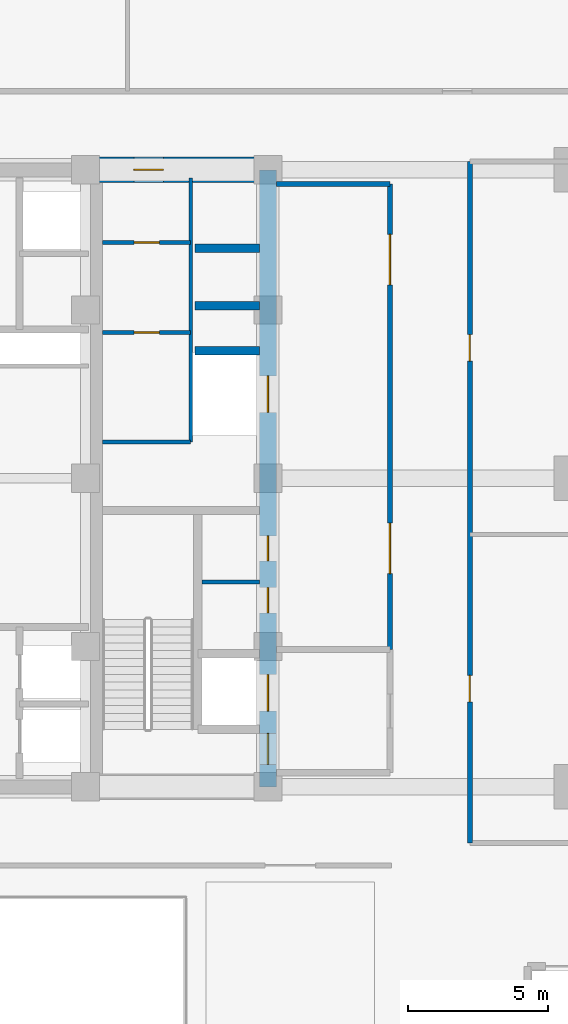
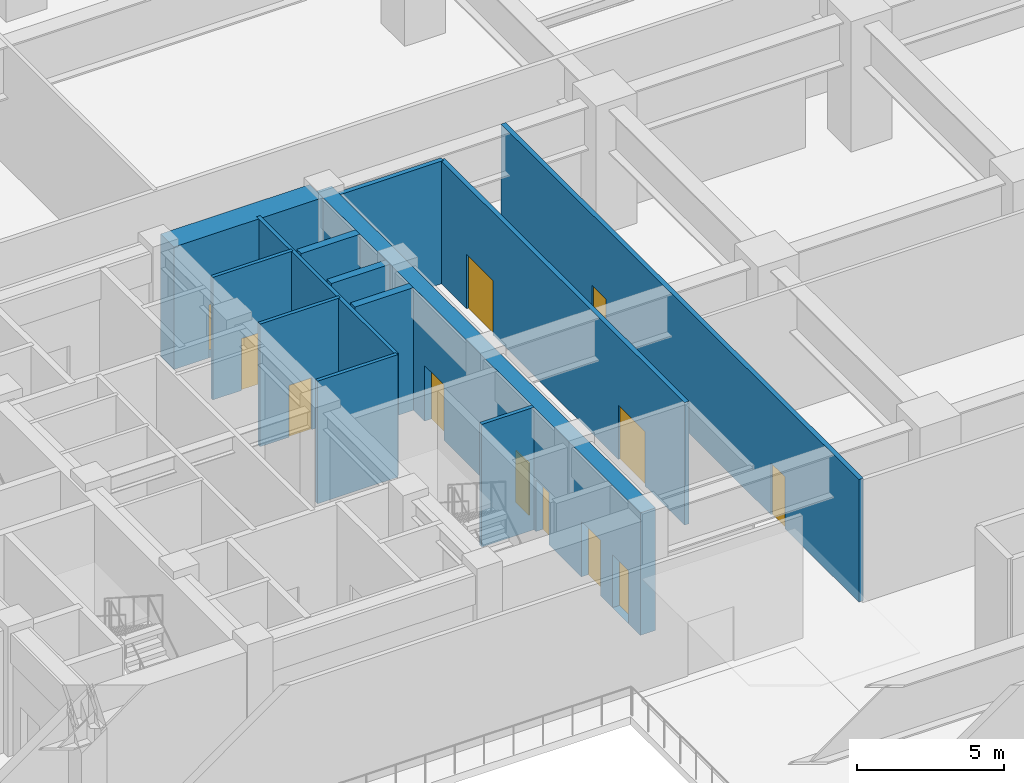
# One storey, part 18 of 28: 13 walls, 12 doors, 12 openings.
"""IFC4 building model written with IfcOpenShell, lengths in metres."""

from ifc_helpers import new_model, si_unit, direction, frame, frame_2d, origin, place, context, subcontext, project, spatial, rectangle, extrude, source, transform, mapped, material, layer, layer_set, type_object, element, fill, save


model = new_model("IFC4")

# Units and contexts
model_context = context("Model", 3, precision=1e-05, world=origin(), true_north=direction((0.0, 1.0)))
body_context = subcontext(model_context, "Body", "Model", "MODEL_VIEW")
ifc_project = project(units=[si_unit("LENGTHUNIT", "METRE"), si_unit("AREAUNIT", "SQUARE_METRE"), si_unit("VOLUMEUNIT", "CUBIC_METRE"), si_unit("PLANEANGLEUNIT", "RADIAN"), si_unit("MASSUNIT", "GRAM", prefix="KILO")], contexts=[model_context])

# Site, building, storey
site_placement = place(None, origin())
site = spatial("IfcSite", under=ifc_project, at=site_placement, CompositionType="ELEMENT")
building_placement = place(site_placement, origin())
building = spatial("IfcBuilding", under=site, at=building_placement, Name="Khorayat Bourse Tower", CompositionType="ELEMENT")
storey_placement = place(building_placement, frame((0.0, 0.0, 12.0)))
storey = spatial("IfcBuildingStorey", under=building, at=storey_placement, Name="L02", CompositionType="ELEMENT", Elevation=12.0)

# Wall, openings, doors
ifc_material_1 = material(Name="Concrete C60/75", Category="concrete")
ifc_layer_1 = layer(ifc_material_1, 0.60009765625)
ifc_layer_set_1 = layer_set([ifc_layer_1], Name="Concrete C60/75")
wall_type_1 = type_object("IfcWallType", Name="WAL-CORE-600", PredefinedType="SHEAR", material=ifc_layer_set_1)
shared_shape_1 = source(origin(), body_context, "Body", "SweptSolid", [
    extrude(rectangle(XDim=22.0, YDim=0.60009765625, at=frame_2d((11.0, 0.0))), origin(), (0.0, 0.0, 1.0), 5.080078125),
])
wall_1_placement = place(storey_placement, frame((11.0, -11.0, 0.0), z_axis=(0.0, 0.0, 1.0), x_axis=(0.0, 1.0, 0.0)))
wall_1 = element("IfcWall", 1, at=wall_1_placement, inside=storey, type_object=wall_type_1, Name="L02 Core Shear Wall CORE-E", PredefinedType="SHEAR", context=body_context, shape_type="MappedRepresentation", body=[
    mapped(shared_shape_1, transform((0.0, 0.0, 0.0), scale=1.0)),
])
shared_shape_2 = source(origin(), body_context, "Body", "SweptSolid", [
    extrude(rectangle(XDim=1.10009765625, YDim=2.199951171875, at=frame_2d((0.550048828125, 1.10009765625))), frame((0.0, 0.31005859375, 0.0), z_axis=(0.0, -1.0, 0.0), x_axis=(1.0, 0.0, 0.0)), (0.0, 0.0, 1.0), 0.6201171875),
])
opening_1_placement = place(wall_1_placement, frame((0.800048828125, 0.0, 0.0)))
opening_1 = element("IfcOpeningElement", 2, at=opening_1_placement, cuts=wall_1, Name="Opening DI-01", PredefinedType="OPENING", context=body_context, shape_type="MappedRepresentation", body=[
    mapped(shared_shape_2, transform((0.0, 0.0, 0.0), scale=1.0)),
])
shared_shape_3 = source(origin(), body_context, "Body", "SweptSolid", [
    extrude(rectangle(XDim=0.89990234375, YDim=2.14990234375, at=frame_2d((0.449951171875, 1.074951171875))), frame((0.0, 0.31005859375, 0.0), z_axis=(0.0, -1.0, 0.0), x_axis=(1.0, 0.0, 0.0)), (0.0, 0.0, 1.0), 0.6201171875),
])
opening_2_placement = place(wall_1_placement, frame((6.199951171875, 0.0, 0.0)))
opening_2 = element("IfcOpeningElement", 3, at=opening_2_placement, cuts=wall_1, Name="Opening DI-06", PredefinedType="OPENING", context=body_context, shape_type="MappedRepresentation", body=[
    mapped(shared_shape_3, transform((0.0, 0.0, 0.0), scale=1.0)),
])
opening_3_placement = place(wall_1_placement, frame((8.050048828125, 0.0, 0.0)))
opening_3 = element("IfcOpeningElement", 4, at=opening_3_placement, cuts=wall_1, Name="Opening DI-06", PredefinedType="OPENING", context=body_context, shape_type="MappedRepresentation", body=[
    mapped(shared_shape_3, transform((0.0, 0.0, 0.0), scale=1.0)),
])
shared_shape_4 = source(origin(), body_context, "Body", "SweptSolid", [
    extrude(rectangle(XDim=1.300048828125, YDim=2.300048828125, at=frame_2d((0.64990234375, 1.14990234375))), frame((0.0, 0.31005859375, 0.0), z_axis=(0.0, -1.0, 0.0), x_axis=(1.0, 0.0, 0.0)), (0.0, 0.0, 1.0), 0.6201171875),
])
opening_4_placement = place(wall_1_placement, frame((2.699951171875, 0.0, 0.0)))
opening_4 = element("IfcOpeningElement", 5, at=opening_4_placement, cuts=wall_1, Name="Opening LD-02", PredefinedType="OPENING", context=body_context, shape_type="MappedRepresentation", body=[
    mapped(shared_shape_4, transform((0.0, 0.0, 0.0), scale=1.0)),
])
opening_5_placement = place(wall_1_placement, frame((13.35009765625, 0.0, 0.0)))
opening_5 = element("IfcOpeningElement", 6, at=opening_5_placement, cuts=wall_1, Name="Opening LD-02", PredefinedType="OPENING", context=body_context, shape_type="MappedRepresentation", body=[
    mapped(shared_shape_4, transform((0.0, 0.0, 0.0), scale=1.0)),
])
ifc_material_2 = material(Name="Fire-rated steel acoustic leaf", Category="steel")
door_type_1 = type_object("IfcDoorType", Name="DR-INT-STAIR-1100", OperationType="NOTDEFINED", PredefinedType="DOOR", material=ifc_material_2)
shared_shape_5 = source(origin(), body_context, "Body", "SweptSolid", [
    extrude(rectangle(XDim=1.10009765625, YDim=2.199951171875, at=frame_2d((0.550048828125, 1.10009765625))), frame((0.0, 0.02490234375, 0.0), z_axis=(0.0, -1.0, 0.0), x_axis=(1.0, 0.0, 0.0)), (0.0, 0.0, 1.0), 0.050048828125),
])
door_1_placement = place(opening_1_placement, origin())
door_1 = element("IfcDoor", 7, at=door_1_placement, inside=storey, type_object=door_type_1, Name="L02 Exit Stair 3 Door", OperationType="SINGLE_SWING_LEFT", OverallHeight=2.199951171875, OverallWidth=1.10009765625, PredefinedType="DOOR", context=body_context, shape_type="MappedRepresentation", body=[
    mapped(shared_shape_5, transform((0.0, 0.0, 0.0), scale=1.0)),
])
fill(opening_1, door_1)
ifc_material_3 = material(Name="Moisture-resistant laminate washroom door")
door_type_2 = type_object("IfcDoorType", Name="DR-INT-WC-900", OperationType="NOTDEFINED", PredefinedType="DOOR", material=ifc_material_3)
shared_shape_6 = source(origin(), body_context, "Body", "SweptSolid", [
    extrude(rectangle(XDim=0.89990234375, YDim=2.14990234375, at=frame_2d((0.449951171875, 1.074951171875))), frame((0.0, 0.02490234375, 0.0), z_axis=(0.0, -1.0, 0.0), x_axis=(1.0, 0.0, 0.0)), (0.0, 0.0, 1.0), 0.050048828125),
])
door_2_placement = place(opening_2_placement, origin())
door_2 = element("IfcDoor", 8, at=door_2_placement, inside=storey, type_object=door_type_2, Name="L02 Comms Closet Door", OperationType="SINGLE_SWING_LEFT", OverallHeight=2.14990234375, OverallWidth=0.89990234375, PredefinedType="DOOR", context=body_context, shape_type="MappedRepresentation", body=[
    mapped(shared_shape_6, transform((0.0, 0.0, 0.0), scale=1.0)),
])
fill(opening_2, door_2)
door_3_placement = place(opening_3_placement, origin())
door_3 = element("IfcDoor", 9, at=door_3_placement, inside=storey, type_object=door_type_2, Name="L02 Cleaner Store Door", OperationType="SINGLE_SWING_RIGHT", OverallHeight=2.14990234375, OverallWidth=0.89990234375, PredefinedType="DOOR", context=body_context, shape_type="MappedRepresentation", body=[
    mapped(shared_shape_6, transform((0.0, 0.0, 0.0), scale=1.0)),
])
fill(opening_3, door_3)
ifc_material_4 = material(Name="Fire-rated stainless-steel sliding landing door", Category="steel")
door_type_3 = type_object("IfcDoorType", Name="DR-LIFT-FF-1300", OperationType="NOTDEFINED", PredefinedType="DOOR", material=ifc_material_4)
shared_shape_7 = source(origin(), body_context, "Body", "SweptSolid", [
    extrude(rectangle(XDim=1.300048828125, YDim=2.300048828125, at=frame_2d((0.64990234375, 1.14990234375))), frame((0.0, 0.02490234375, 0.0), z_axis=(0.0, -1.0, 0.0), x_axis=(1.0, 0.0, 0.0)), (0.0, 0.0, 1.0), 0.050048828125),
])
door_4_placement = place(opening_4_placement, origin())
door_4 = element("IfcDoor", 10, at=door_4_placement, inside=storey, type_object=door_type_3, Name="L02 Lift FFL-02 Sliding Landing Door", OperationType="SLIDING_TO_LEFT", OverallHeight=2.300048828125, OverallWidth=1.300048828125, PredefinedType="DOOR", context=body_context, shape_type="MappedRepresentation", body=[
    mapped(shared_shape_7, transform((0.0, 0.0, 0.0), scale=1.0)),
])
fill(opening_4, door_4)
door_5_placement = place(opening_5_placement, origin())
door_5 = element("IfcDoor", 11, at=door_5_placement, inside=storey, type_object=door_type_3, Name="L02 Lift SVL-01 Sliding Landing Door", OperationType="SLIDING_TO_LEFT", OverallHeight=2.300048828125, OverallWidth=1.300048828125, PredefinedType="DOOR", context=body_context, shape_type="MappedRepresentation", body=[
    mapped(shared_shape_7, transform((0.0, 0.0, 0.0), scale=1.0)),
])
fill(opening_5, door_5)

# Wall, opening, door
ifc_material_5 = material(Name="Concrete C72/90", Category="concrete")
ifc_layer_2 = layer(ifc_material_5, 0.89990234375)
ifc_layer_set_2 = layer_set([ifc_layer_2], Name="Concrete C72/90")
wall_type_2 = type_object("IfcWallType", Name="WAL-CORE-900", PredefinedType="SHEAR", material=ifc_layer_set_2)
shared_shape_8 = source(origin(), body_context, "Body", "SweptSolid", [
    extrude(rectangle(XDim=5.849853515625, YDim=0.89990234375, at=frame_2d((2.9248046875, 0.0))), origin(), (0.0, 0.0, 1.0), 5.080078125),
])
wall_2_placement = place(storey_placement, frame((4.85009765625, 11.0, 0.0), z_axis=(0.0, 0.0, 1.0), x_axis=(1.0, 0.0, 0.0)))
wall_2 = element("IfcWall", 12, at=wall_2_placement, inside=storey, type_object=wall_type_2, Name="L02 Core Shear Wall PIER-EN", PredefinedType="SHEAR", context=body_context, shape_type="MappedRepresentation", body=[
    mapped(shared_shape_8, transform((0.0, 0.0, 0.0), scale=1.0)),
])
shared_shape_9 = source(origin(), body_context, "Body", "SweptSolid", [
    extrude(rectangle(XDim=1.050048828125, YDim=2.199951171875, at=frame_2d((0.52490234375, 1.10009765625))), frame((0.0, 0.4599609375, 0.0), z_axis=(0.0, -1.0, 0.0), x_axis=(1.0, 0.0, 0.0)), (0.0, 0.0, 1.0), 0.919921875),
])
opening_6_placement = place(wall_2_placement, frame((1.375, 0.0, 0.0)))
opening_6 = element("IfcOpeningElement", 13, at=opening_6_placement, cuts=wall_2, Name="Opening DI-04", PredefinedType="OPENING", context=body_context, shape_type="MappedRepresentation", body=[
    mapped(shared_shape_9, transform((0.0, 0.0, 0.0), scale=1.0)),
])
ifc_material_6 = material(Name="Fire-rated oak veneer suite entrance door")
door_type_4 = type_object("IfcDoorType", Name="DR-INT-SUITE-1050", OperationType="NOTDEFINED", PredefinedType="DOOR", material=ifc_material_6)
shared_shape_10 = source(origin(), body_context, "Body", "SweptSolid", [
    extrude(rectangle(XDim=1.050048828125, YDim=2.199951171875, at=frame_2d((0.52490234375, 1.10009765625))), frame((0.0, 0.02490234375, 0.0), z_axis=(0.0, -1.0, 0.0), x_axis=(1.0, 0.0, 0.0)), (0.0, 0.0, 1.0), 0.050048828125),
])
door_6_placement = place(opening_6_placement, origin())
door_6 = element("IfcDoor", 14, at=door_6_placement, inside=storey, type_object=door_type_4, Name="L02 Core Washroom Lobby Door", OperationType="SINGLE_SWING_LEFT", OverallHeight=2.199951171875, OverallWidth=1.050048828125, PredefinedType="DOOR", context=body_context, shape_type="MappedRepresentation", body=[
    mapped(shared_shape_10, transform((0.0, 0.0, 0.0), scale=1.0)),
])
fill(opening_6, door_6)

# Walls
ifc_material_7 = material(Name="Concrete C50/60", Category="concrete")
ifc_layer_3 = layer(ifc_material_7, 0.300048828125)
ifc_layer_set_3 = layer_set([ifc_layer_3], Name="Concrete C50/60")
wall_type_3 = type_object("IfcWallType", Name="WAL-SHAFT-300", PredefinedType="SHEAR", material=ifc_layer_set_3)
shared_shape_11 = source(origin(), body_context, "Body", "SweptSolid", [
    extrude(rectangle(XDim=2.300048828125, YDim=0.300048828125, at=frame_2d((1.14990234375, 0.0))), origin(), (0.0, 0.0, 1.0), 5.080078125),
])
for number, where, z_axis, x_axis, name in (
    (15, (8.39990234375, 4.550048828125, 0.0), (0.0, 0.0, 1.0), (1.0, 0.0, 0.0), "L02 Partition WAL-L02-EPIER-SVLN"),
    (16, (8.39990234375, 6.14990234375, 0.0), (0.0, 0.0, 1.0), (1.0, 0.0, 0.0), "L02 Partition WAL-L02-EPIER-H3S"),
    (17, (8.39990234375, 8.199951171875, 0.0), (0.0, 0.0, 1.0), (1.0, 0.0, 0.0), "L02 Partition WAL-L02-EPIER-H34"),
):
    element("IfcWall", number, at=place(storey_placement, frame(where, z_axis=z_axis, x_axis=x_axis)), inside=storey, type_object=wall_type_3, Name=name, PredefinedType="SHEAR", context=body_context, shape_type="MappedRepresentation", body=[
        mapped(shared_shape_11, transform((0.0, 0.0, 0.0), scale=1.0)),
    ])
ifc_material_8 = material(Name="Gypsum plasterboard twin-frame partition")
ifc_layer_4 = layer(ifc_material_8, 0.14990234375)
ifc_layer_set_4 = layer_set([ifc_layer_4], Name="Gypsum plasterboard twin-frame partition")
wall_type_4 = type_object("IfcWallType", Name="WAL-PART-SUITE-150", PredefinedType="PARTITIONING", material=ifc_layer_set_4)
shared_shape_12 = source(origin(), body_context, "Body", "SweptSolid", [
    extrude(rectangle(XDim=2.050048828125, YDim=0.14990234375, at=frame_2d((1.02490234375, 0.0))), origin(), (0.0, 0.0, 1.0), 5.080078125),
])
wall_3_placement = place(storey_placement, frame((8.64990234375, -3.699951171875, 0.0), z_axis=(0.0, 0.0, 1.0), x_axis=(1.0, 0.0, 0.0)))
element("IfcWall", 18, at=wall_3_placement, inside=storey, type_object=wall_type_4, Name="L02 Partition WAL-L02-ESRV-D1", PredefinedType="PARTITIONING", context=body_context, shape_type="MappedRepresentation", body=[
    mapped(shared_shape_12, transform((0.0, 0.0, 0.0), scale=1.0)),
])
ifc_material_9 = material(Name="Moisture-resistant masonry partition", Category="masonry")
ifc_layer_5 = layer(ifc_material_9, 0.139892578125)
ifc_layer_set_5 = layer_set([ifc_layer_5], Name="Moisture-resistant masonry partition")
wall_type_5 = type_object("IfcWallType", Name="WAL-PART-WET-140", PredefinedType="PARTITIONING", material=ifc_layer_set_5)
shared_shape_13 = source(origin(), body_context, "Body", "SweptSolid", [
    extrude(rectangle(XDim=9.39990234375, YDim=0.139892578125, at=frame_2d((4.699951171875, 0.0))), origin(), (0.0, 0.0, 1.0), 5.080078125),
])
wall_4_placement = place(storey_placement, frame((8.25, 1.300048828125, 0.0), z_axis=(0.0, 0.0, 1.0), x_axis=(0.0, 1.0, 0.0)))
element("IfcWall", 19, at=wall_4_placement, inside=storey, type_object=wall_type_5, Name="L02 Partition WAL-L02-ECORE-E", PredefinedType="PARTITIONING", context=body_context, shape_type="MappedRepresentation", body=[
    mapped(shared_shape_13, transform((0.0, 0.0, 0.0), scale=1.0)),
])
shared_shape_14 = source(origin(), body_context, "Body", "SweptSolid", [
    extrude(rectangle(XDim=3.14990234375, YDim=0.139892578125, at=frame_2d((1.574951171875, 0.0))), origin(), (0.0, 0.0, 1.0), 5.080078125),
])
wall_5_placement = place(storey_placement, frame((5.10009765625, 1.300048828125, 0.0), z_axis=(0.0, 0.0, 1.0), x_axis=(1.0, 0.0, 0.0)))
element("IfcWall", 20, at=wall_5_placement, inside=storey, type_object=wall_type_5, Name="L02 Partition WAL-L02-ECORE-S", PredefinedType="PARTITIONING", context=body_context, shape_type="MappedRepresentation", body=[
    mapped(shared_shape_14, transform((0.0, 0.0, 0.0), scale=1.0)),
])

# Wall, opening, door
wall_6_placement = place(storey_placement, frame((5.10009765625, 8.39990234375, 0.0), z_axis=(0.0, 0.0, 1.0), x_axis=(1.0, 0.0, 0.0)))
wall_6 = element("IfcWall", 21, at=wall_6_placement, inside=storey, type_object=wall_type_5, Name="L02 Partition WAL-L02-ECW-TOP", PredefinedType="PARTITIONING", context=body_context, shape_type="MappedRepresentation", body=[
    mapped(shared_shape_14, transform((0.0, 0.0, 0.0), scale=1.0)),
])
shared_shape_15 = source(origin(), body_context, "Body", "SweptSolid", [
    extrude(rectangle(XDim=0.89990234375, YDim=2.14990234375, at=frame_2d((0.449951171875, 1.074951171875))), frame((0.0, 0.079833984375, 0.0), z_axis=(0.0, -1.0, 0.0), x_axis=(1.0, 0.0, 0.0)), (0.0, 0.0, 1.0), 0.159912109375),
])
opening_7_placement = place(wall_6_placement, frame((1.1298828125, 0.0, 0.0)))
opening_7 = element("IfcOpeningElement", 22, at=opening_7_placement, cuts=wall_6, Name="Opening DI-06", PredefinedType="OPENING", context=body_context, shape_type="MappedRepresentation", body=[
    mapped(shared_shape_15, transform((0.0, 0.0, 0.0), scale=1.0)),
])
door_7_placement = place(opening_7_placement, origin())
door_7 = element("IfcDoor", 23, at=door_7_placement, inside=storey, type_object=door_type_2, Name="L02 Accessible WC Door", OperationType="SINGLE_SWING_LEFT", OverallHeight=2.14990234375, OverallWidth=0.89990234375, PredefinedType="DOOR", context=body_context, shape_type="MappedRepresentation", body=[
    mapped(shared_shape_6, transform((0.0, 0.0, 0.0), scale=1.0)),
])
fill(opening_7, door_7)

wall_7_placement = place(storey_placement, frame((5.10009765625, 5.199951171875, 0.0), z_axis=(0.0, 0.0, 1.0), x_axis=(1.0, 0.0, 0.0)))
wall_7 = element("IfcWall", 24, at=wall_7_placement, inside=storey, type_object=wall_type_5, Name="L02 Partition WAL-L02-ECW-HZ", PredefinedType="PARTITIONING", context=body_context, shape_type="MappedRepresentation", body=[
    mapped(shared_shape_14, transform((0.0, 0.0, 0.0), scale=1.0)),
])
opening_8_placement = place(wall_7_placement, frame((1.1298828125, 0.0, 0.0)))
opening_8 = element("IfcOpeningElement", 25, at=opening_8_placement, cuts=wall_7, Name="Opening DI-06", PredefinedType="OPENING", context=body_context, shape_type="MappedRepresentation", body=[
    mapped(shared_shape_15, transform((0.0, 0.0, 0.0), scale=1.0)),
])
door_8_placement = place(opening_8_placement, origin())
door_8 = element("IfcDoor", 26, at=door_8_placement, inside=storey, type_object=door_type_2, Name="L02 Shared Washroom Door", OperationType="SINGLE_SWING_RIGHT", OverallHeight=2.14990234375, OverallWidth=0.89990234375, PredefinedType="DOOR", context=body_context, shape_type="MappedRepresentation", body=[
    mapped(shared_shape_6, transform((0.0, 0.0, 0.0), scale=1.0)),
])
fill(opening_8, door_8)

# Wall
ifc_material_10 = material(Name="Gypsum plasterboard acoustic stud wall")
ifc_layer_6 = layer(ifc_material_10, 0.179931640625)
ifc_layer_set_6 = layer_set([ifc_layer_6], Name="Gypsum plasterboard acoustic stud wall")
wall_type_6 = type_object("IfcWallType", Name="WAL-PART-CORR-180", PredefinedType="PARTITIONING", material=ifc_layer_set_6)
shared_shape_16 = source(origin(), body_context, "Body", "SweptSolid", [
    extrude(rectangle(XDim=4.050048828125, YDim=0.179931640625, at=frame_2d((2.02490234375, 0.0))), origin(), (0.0, 0.0, 1.0), 5.080078125),
])
wall_8_placement = place(storey_placement, frame((11.300048828125, 10.5, 0.0), z_axis=(0.0, 0.0, 1.0), x_axis=(1.0, 0.0, 0.0)))
element("IfcWall", 27, at=wall_8_placement, inside=storey, type_object=wall_type_6, Name="L02 Partition WAL-L02-ELOB-N", PredefinedType="PARTITIONING", context=body_context, shape_type="MappedRepresentation", body=[
    mapped(shared_shape_16, transform((0.0, 0.0, 0.0), scale=1.0)),
])

# Wall, openings, doors
shared_shape_17 = source(origin(), body_context, "Body", "SweptSolid", [
    extrude(rectangle(XDim=16.60009765625, YDim=0.179931640625, at=frame_2d((8.300048828125, 0.0))), origin(), (0.0, 0.0, 1.0), 5.080078125),
])
wall_9_placement = place(storey_placement, frame((15.35009765625, -6.10009765625, 0.0), z_axis=(0.0, 0.0, 1.0), x_axis=(0.0, 1.0, 0.0)))
wall_9 = element("IfcWall", 28, at=wall_9_placement, inside=storey, type_object=wall_type_6, Name="L02 Partition WAL-L02-ELOB-E", PredefinedType="PARTITIONING", context=body_context, shape_type="MappedRepresentation", body=[
    mapped(shared_shape_17, transform((0.0, 0.0, 0.0), scale=1.0)),
])
shared_shape_18 = source(origin(), body_context, "Body", "SweptSolid", [
    extrude(rectangle(XDim=1.800048828125, YDim=2.25, at=frame_2d((0.89990234375, 1.125))), frame((0.0, 0.099853515625, 0.0), z_axis=(0.0, -1.0, 0.0), x_axis=(1.0, 0.0, 0.0)), (0.0, 0.0, 1.0), 0.199951171875),
])
opening_9_placement = place(wall_9_placement, frame((2.699951171875, 0.0, 0.0)))
opening_9 = element("IfcOpeningElement", 29, at=opening_9_placement, cuts=wall_9, Name="Opening DI-03", PredefinedType="OPENING", context=body_context, shape_type="MappedRepresentation", body=[
    mapped(shared_shape_18, transform((0.0, 0.0, 0.0), scale=1.0)),
])
opening_10_placement = place(wall_9_placement, frame((13.0, 0.0, 0.0)))
opening_10 = element("IfcOpeningElement", 30, at=opening_10_placement, cuts=wall_9, Name="Opening DI-03", PredefinedType="OPENING", context=body_context, shape_type="MappedRepresentation", body=[
    mapped(shared_shape_18, transform((0.0, 0.0, 0.0), scale=1.0)),
])
ifc_material_11 = material(Name="Fire-rated hardwood vision-panel double leaf", Category="wood")
door_type_5 = type_object("IfcDoorType", Name="DR-INT-CORR-1800", OperationType="NOTDEFINED", PredefinedType="DOOR", material=ifc_material_11)
shared_shape_19 = source(origin(), body_context, "Body", "SweptSolid", [
    extrude(rectangle(XDim=1.800048828125, YDim=2.25, at=frame_2d((0.89990234375, 1.125))), frame((0.0, 0.02490234375, 0.0), z_axis=(0.0, -1.0, 0.0), x_axis=(1.0, 0.0, 0.0)), (0.0, 0.0, 1.0), 0.050048828125),
])
door_9_placement = place(opening_9_placement, origin())
door_9 = element("IfcDoor", 31, at=door_9_placement, inside=storey, type_object=door_type_5, Name="L02 East Core Lobby South Door", OperationType="SINGLE_SWING_RIGHT", OverallHeight=2.25, OverallWidth=1.800048828125, PredefinedType="DOOR", context=body_context, shape_type="MappedRepresentation", body=[
    mapped(shared_shape_19, transform((0.0, 0.0, 0.0), scale=1.0)),
])
fill(opening_9, door_9)
door_10_placement = place(opening_10_placement, origin())
door_10 = element("IfcDoor", 32, at=door_10_placement, inside=storey, type_object=door_type_5, Name="L02 East Core Lobby North Door", OperationType="SINGLE_SWING_LEFT", OverallHeight=2.25, OverallWidth=1.800048828125, PredefinedType="DOOR", context=body_context, shape_type="MappedRepresentation", body=[
    mapped(shared_shape_19, transform((0.0, 0.0, 0.0), scale=1.0)),
])
fill(opening_10, door_10)

shared_shape_20 = source(origin(), body_context, "Body", "SweptSolid", [
    extrude(rectangle(XDim=24.300048828125, YDim=0.179931640625, at=frame_2d((12.14990234375, 0.0))), origin(), (0.0, 0.0, 1.0), 5.080078125),
])
wall_10_placement = place(storey_placement, frame((18.199951171875, -13.0, 0.0), z_axis=(0.0, 0.0, 1.0), x_axis=(0.0, 1.0, 0.0)))
wall_10 = element("IfcWall", 33, at=wall_10_placement, inside=storey, type_object=wall_type_6, Name="L02 Partition WAL-L02-PCORRE-E", PredefinedType="PARTITIONING", context=body_context, shape_type="MappedRepresentation", body=[
    mapped(shared_shape_20, transform((0.0, 0.0, 0.0), scale=1.0)),
])
shared_shape_21 = source(origin(), body_context, "Body", "SweptSolid", [
    extrude(rectangle(XDim=0.949951171875, YDim=2.14990234375, at=frame_2d((0.47509765625, 1.074951171875))), frame((0.0, 0.099853515625, 0.0), z_axis=(0.0, -1.0, 0.0), x_axis=(1.0, 0.0, 0.0)), (0.0, 0.0, 1.0), 0.199951171875),
])
opening_11_placement = place(wall_10_placement, frame((5.02490234375, 0.0, 0.0)))
opening_11 = element("IfcOpeningElement", 34, at=opening_11_placement, cuts=wall_10, Name="Opening DI-05", PredefinedType="OPENING", context=body_context, shape_type="MappedRepresentation", body=[
    mapped(shared_shape_21, transform((0.0, 0.0, 0.0), scale=1.0)),
])
opening_12_placement = place(wall_10_placement, frame((17.175048828125, 0.0, 0.0)))
opening_12 = element("IfcOpeningElement", 35, at=opening_12_placement, cuts=wall_10, Name="Opening DI-05", PredefinedType="OPENING", context=body_context, shape_type="MappedRepresentation", body=[
    mapped(shared_shape_21, transform((0.0, 0.0, 0.0), scale=1.0)),
])
ifc_material_12 = material(Name="Acoustic oak veneer office door")
door_type_6 = type_object("IfcDoorType", Name="DR-INT-OFFICE-950", OperationType="NOTDEFINED", PredefinedType="DOOR", material=ifc_material_12)
shared_shape_22 = source(origin(), body_context, "Body", "SweptSolid", [
    extrude(rectangle(XDim=0.949951171875, YDim=2.14990234375, at=frame_2d((0.47509765625, 1.074951171875))), frame((0.0, 0.02490234375, 0.0), z_axis=(0.0, -1.0, 0.0), x_axis=(1.0, 0.0, 0.0)), (0.0, 0.0, 1.0), 0.050048828125),
])
door_11_placement = place(opening_11_placement, origin())
door_11 = element("IfcDoor", 36, at=door_11_placement, inside=storey, type_object=door_type_6, Name="L02 Derivatives Committee Boardroom Door", OperationType="SINGLE_SWING_LEFT", OverallHeight=2.14990234375, OverallWidth=0.949951171875, PredefinedType="DOOR", context=body_context, shape_type="MappedRepresentation", body=[
    mapped(shared_shape_22, transform((0.0, 0.0, 0.0), scale=1.0)),
])
fill(opening_11, door_11)
door_12_placement = place(opening_12_placement, origin())
door_12 = element("IfcDoor", 37, at=door_12_placement, inside=storey, type_object=door_type_6, Name="L02 Staff Tea Pantry Door", OperationType="SINGLE_SWING_RIGHT", OverallHeight=2.14990234375, OverallWidth=0.949951171875, PredefinedType="DOOR", context=body_context, shape_type="MappedRepresentation", body=[
    mapped(shared_shape_22, transform((0.0, 0.0, 0.0), scale=1.0)),
])
fill(opening_12, door_12)

save(model, "model.ifc")
